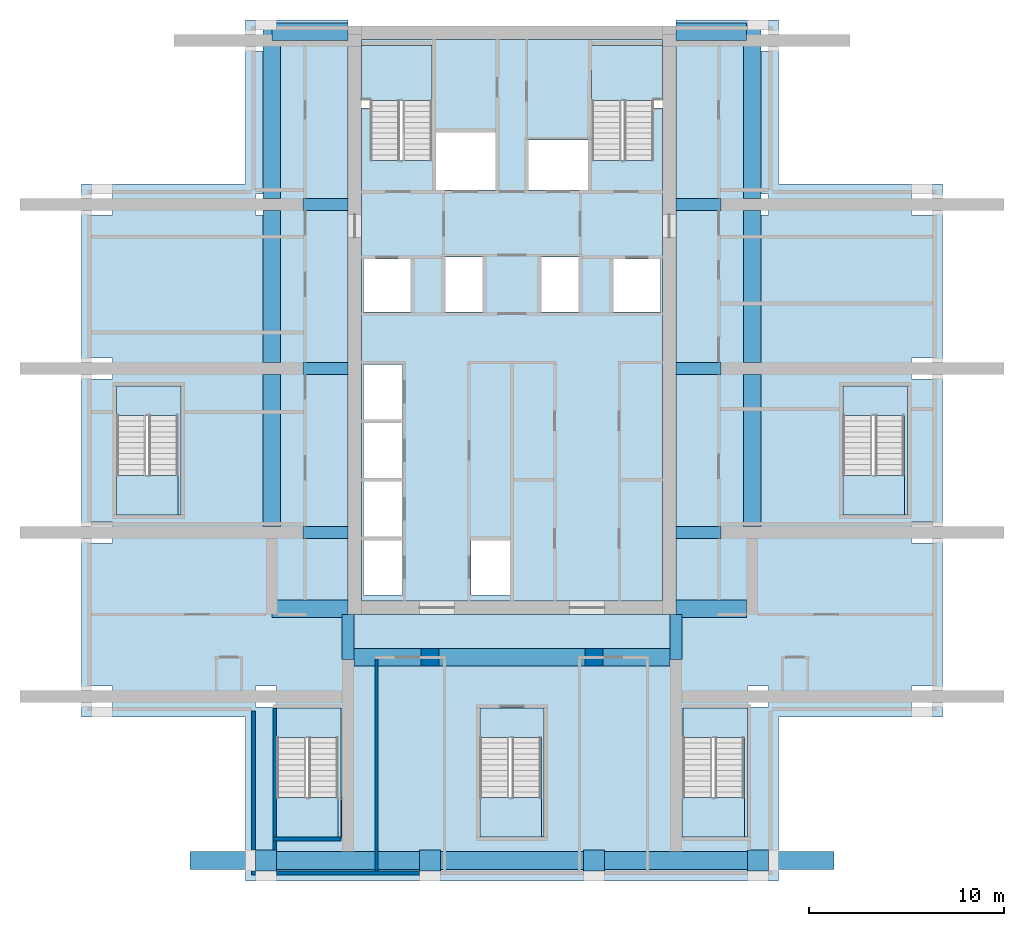
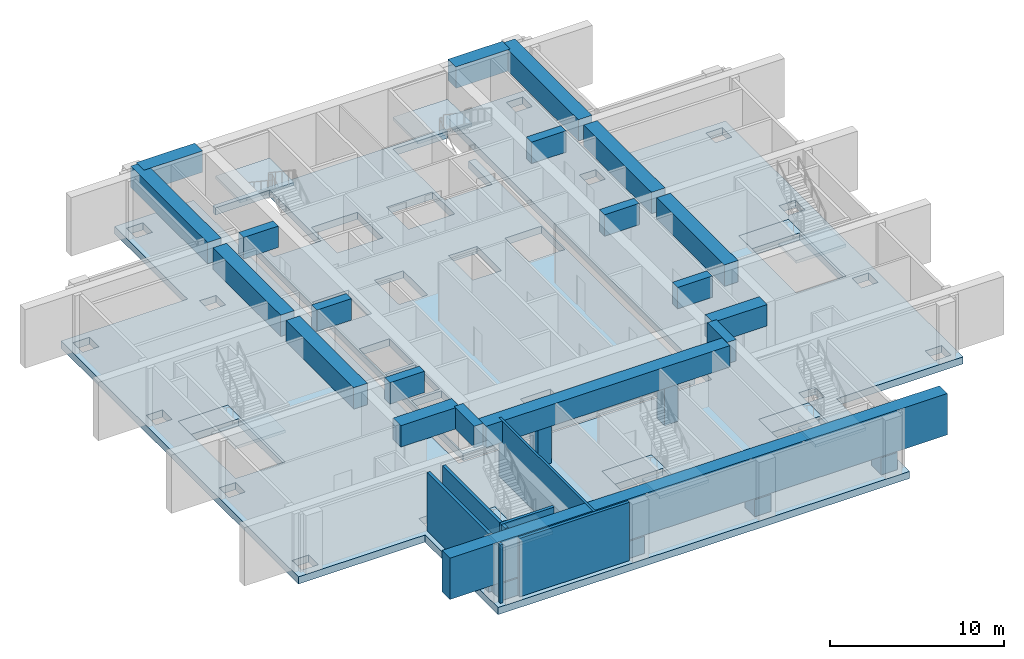
# One storey, part 1 of 10: 20 beams, 14 slabs, 6 columns, 6 walls, 7 elements without a shape of their own.
"""IFC4 building model written with IfcOpenShell, lengths in metres."""

from ifc_helpers import new_model, si_unit, direction, frame, frame_2d, origin, origin_2d, place, context, subcontext, project, spatial, polyline, rectangle, outline, extrude, material, layer, layer_set, material_profile, profile_set, type_object, element, aggregate, save


model = new_model("IFC4")

# Units and contexts
model_context = context("Model", 3, precision=1e-05, world=origin(), true_north=direction((0.0, 1.0)))
body_context = subcontext(model_context, "Body", "Model", "MODEL_VIEW")
ifc_project = project(units=[si_unit("LENGTHUNIT", "METRE"), si_unit("AREAUNIT", "SQUARE_METRE"), si_unit("VOLUMEUNIT", "CUBIC_METRE"), si_unit("PLANEANGLEUNIT", "RADIAN"), si_unit("MASSUNIT", "GRAM", prefix="KILO")], contexts=[model_context])

# Site, building, storey
site_placement = place(None, origin())
site = spatial("IfcSite", under=ifc_project, at=site_placement, CompositionType="ELEMENT")
building_placement = place(site_placement, origin())
building = spatial("IfcBuilding", under=site, at=building_placement, Name="Vermilion Ogive Tower", CompositionType="ELEMENT")
storey_placement = place(building_placement, frame((0.0, 0.0, 171.050048828125)))
storey = spatial("IfcBuildingStorey", under=building, at=storey_placement, Name="L44", CompositionType="ELEMENT", Elevation=171.050048828125)

# Columns
ifc_material_1 = material(Name="Concrete B60", Category="concrete")
ifc_material_profile_1 = material_profile(ifc_material_1, rectangle(XDim=1.10009765625, YDim=1.10009765625, at=origin_2d()), Name="1100 x 1100")
ifc_profile_set_1 = profile_set([ifc_material_profile_1], Name="Concrete B60")
column_type_1 = type_object("IfcColumnType", Name="Perimeter column 1100 x 1100 B60", PredefinedType="COLUMN", material=ifc_profile_set_1)
for number, where, z_axis, x_axis, name in (
    (1, (-12.60009765625, -21.0, -0.5), (0.0, 0.0, 1.0), (1.0, 0.0, 0.0), "COL-L44-P-0126-210"),
    (2, (-4.199951171875, -21.0, -0.5), (0.0, 0.0, 1.0), (1.0, 0.0, 0.0), "COL-L44-P-0042-210"),
    (3, (4.199951171875, -21.0, -0.5), (0.0, 0.0, 1.0), (1.0, 0.0, 0.0), "COL-L44-P+0042-210"),
    (4, (12.60009765625, -21.0, -0.5), (0.0, 0.0, 1.0), (1.0, 0.0, 0.0), "COL-L44-P+0126-210"),
):
    element("IfcColumn", number, at=place(storey_placement, frame(where, z_axis=z_axis, x_axis=x_axis)), inside=storey, type_object=column_type_1, Name=name, PredefinedType="COLUMN", context=body_context, shape_type="SweptSolid", body=[
        extrude(rectangle(XDim=1.10009765625, YDim=1.10009765625, at=origin_2d()), origin(), (0.0, 0.0, 1.0), 1.699951171875),
    ])
ifc_material_2 = material(Name="Concrete B60", Category="concrete")
ifc_material_profile_2 = material_profile(ifc_material_2, rectangle(XDim=0.89990234375, YDim=0.89990234375, at=origin_2d()), Name="900 x 900")
ifc_profile_set_2 = profile_set([ifc_material_profile_2], Name="Concrete B60")
column_type_2 = type_object("IfcColumnType", Name="Ring column 900 x 900 B60", PredefinedType="COLUMN", material=ifc_profile_set_2)
for number, where, z_axis, x_axis, name in (
    (5, (-4.199951171875, -10.60009765625, -0.5), (0.0, 0.0, 1.0), (1.0, 0.0, 0.0), "COL-L44-R-0042-106"),
    (6, (4.199951171875, -10.60009765625, -0.5), (0.0, 0.0, 1.0), (1.0, 0.0, 0.0), "COL-L44-R+0042-106"),
):
    element("IfcColumn", number, at=place(storey_placement, frame(where, z_axis=z_axis, x_axis=x_axis)), inside=storey, type_object=column_type_2, Name=name, PredefinedType="COLUMN", context=body_context, shape_type="SweptSolid", body=[
        extrude(rectangle(XDim=0.89990234375, YDim=0.89990234375, at=origin_2d()), origin(), (0.0, 0.0, 1.0), 3.099853515625),
    ])

# Beams
ifc_material_3 = material(Name="Concrete B60", Category="concrete")
ifc_material_profile_3 = material_profile(ifc_material_3, rectangle(XDim=0.89990234375, YDim=2.89990234375, at=origin_2d()), Name="900 x 2900")
ifc_profile_set_3 = profile_set([ifc_material_profile_3], Name="Concrete B60")
beam_type_1 = type_object("IfcBeamType", Name="Belt girder 900 x 2900 B60", PredefinedType="BEAM", material=ifc_profile_set_3)
beam_1_placement = place(storey_placement, frame((-16.5, -21.0, 2.64990234375), z_axis=(1.0, 0.0, 0.0), x_axis=(0.0, 1.0, 0.0)))
element("IfcBeam", 7, at=beam_1_placement, inside=storey, type_object=beam_type_1, Name="L44-BG-1", PredefinedType="BEAM", context=body_context, shape_type="SweptSolid", body=[
    extrude(rectangle(XDim=0.89990234375, YDim=2.89990234375, at=origin_2d()), origin(), (0.0, 0.0, 1.0), 33.0),
])
ifc_material_4 = material(Name="Concrete B60", Category="concrete")
ifc_material_profile_4 = material_profile(ifc_material_4, rectangle(XDim=0.89990234375, YDim=1.5, at=origin_2d()), Name="900 x 1500")
ifc_profile_set_4 = profile_set([ifc_material_profile_4], Name="Concrete B60")
beam_type_2 = type_object("IfcBeamType", Name="Core transfer girder 900 x 1500 B60", PredefinedType="BEAM", material=ifc_profile_set_4)
for number, where, z_axis, x_axis, name in (
    (8, (12.300048828125, -3.89501953125, 3.349853515625), (0.0, 1.0, 0.0), (-1.0, 0.0, 0.0), "L44-CT-1"),
    (9, (12.300048828125, 4.5048828125, 3.349853515625), (0.0, 1.0, 0.0), (-1.0, 0.0, 0.0), "L44-CT-2"),
):
    element("IfcBeam", number, at=place(storey_placement, frame(where, z_axis=z_axis, x_axis=x_axis)), inside=storey, type_object=beam_type_2, Name=name, PredefinedType="BEAM", context=body_context, shape_type="SweptSolid", body=[
        extrude(rectangle(XDim=0.89990234375, YDim=1.5, at=origin_2d()), origin(), (0.0, 0.0, 1.0), 7.7900390625),
    ])
beam_2_placement = place(storey_placement, frame((12.300048828125, 12.905029296875, 3.349853515625), z_axis=(0.0, 1.0, 0.0), x_axis=(-1.0, 0.0, 0.0)))
element("IfcBeam", 10, at=beam_2_placement, inside=storey, type_object=beam_type_2, Name="L44-CT-3", PredefinedType="BEAM", context=body_context, shape_type="SweptSolid", body=[
    extrude(rectangle(XDim=0.89990234375, YDim=1.5, at=origin_2d()), origin(), (0.0, 0.0, 1.0), 8.844970703125),
])
for number, where, z_axis, x_axis, name in (
    (11, (-12.300048828125, -3.89501953125, 3.349853515625), (0.0, 1.0, 0.0), (-1.0, 0.0, 0.0), "L44-CT-4"),
    (12, (-12.300048828125, 4.5048828125, 3.349853515625), (0.0, 1.0, 0.0), (-1.0, 0.0, 0.0), "L44-CT-5"),
):
    element("IfcBeam", number, at=place(storey_placement, frame(where, z_axis=z_axis, x_axis=x_axis)), inside=storey, type_object=beam_type_2, Name=name, PredefinedType="BEAM", context=body_context, shape_type="SweptSolid", body=[
        extrude(rectangle(XDim=0.89990234375, YDim=1.5, at=origin_2d()), origin(), (0.0, 0.0, 1.0), 7.7900390625),
    ])
beam_3_placement = place(storey_placement, frame((-12.300048828125, 12.905029296875, 3.349853515625), z_axis=(0.0, 1.0, 0.0), x_axis=(-1.0, 0.0, 0.0)))
element("IfcBeam", 13, at=beam_3_placement, inside=storey, type_object=beam_type_2, Name="L44-CT-6", PredefinedType="BEAM", context=body_context, shape_type="SweptSolid", body=[
    extrude(rectangle(XDim=0.89990234375, YDim=1.5, at=origin_2d()), origin(), (0.0, 0.0, 1.0), 8.844970703125),
])
for number, where, z_axis, x_axis, name in (
    (14, (8.405029296875, -8.10009765625, 3.349853515625), (1.0, 0.0, 0.0), (0.0, 1.0, 0.0), "L44-CT-7"),
    (15, (8.405029296875, 21.449951171875, 3.349853515625), (1.0, 0.0, 0.0), (0.0, 1.0, 0.0), "L44-CT-8"),
):
    element("IfcBeam", number, at=place(storey_placement, frame(where, z_axis=z_axis, x_axis=x_axis)), inside=storey, type_object=beam_type_2, Name=name, PredefinedType="BEAM", context=body_context, shape_type="SweptSolid", body=[
        extrude(rectangle(XDim=0.89990234375, YDim=1.5, at=origin_2d()), origin(), (0.0, 0.0, 1.0), 3.594970703125),
    ])
for number, where, z_axis, x_axis, name in (
    (16, (-12.300048828125, -8.10009765625, 3.349853515625), (1.0, 0.0, 0.0), (0.0, 1.0, 0.0), "L44-CT-9"),
    (17, (-12.300048828125, 21.449951171875, 3.349853515625), (1.0, 0.0, 0.0), (0.0, 1.0, 0.0), "L44-CT-10"),
):
    element("IfcBeam", number, at=place(storey_placement, frame(where, z_axis=z_axis, x_axis=x_axis)), inside=storey, type_object=beam_type_2, Name=name, PredefinedType="BEAM", context=body_context, shape_type="SweptSolid", body=[
        extrude(rectangle(XDim=0.89990234375, YDim=1.5, at=origin_2d()), origin(), (0.0, 0.0, 1.0), 3.89501953125),
    ])
ifc_material_5 = material(Name="Concrete B60", Category="concrete")
ifc_material_profile_5 = material_profile(ifc_material_5, rectangle(XDim=0.60009765625, YDim=1.5, at=origin_2d()), Name="600 x 1500")
ifc_profile_set_5 = profile_set([ifc_material_profile_5], Name="Concrete B60")
beam_type_3 = type_object("IfcBeamType", Name="Outrigger lintel beam 600 x 1500 B60", PredefinedType="BEAM", material=ifc_profile_set_5)
for number, where, z_axis, x_axis, name in (
    (18, (8.39990234375, -4.199951171875, 3.349853515625), (1.0, 0.0, 0.0), (0.0, 1.0, 0.0), "L44-OL-EWE-4.2"),
    (19, (8.39990234375, 4.199951171875, 3.349853515625), (1.0, 0.0, 0.0), (0.0, 1.0, 0.0), "L44-OL-EWE+4.2"),
    (20, (8.39990234375, 12.60009765625, 3.349853515625), (1.0, 0.0, 0.0), (0.0, 1.0, 0.0), "L44-OL-EWE+12.6"),
    (21, (-8.39990234375, -4.199951171875, 3.349853515625), (-1.0, 0.0, 0.0), (0.0, -1.0, 0.0), "L44-OL-EWW-4.2"),
    (22, (-8.39990234375, 4.199951171875, 3.349853515625), (-1.0, 0.0, 0.0), (0.0, -1.0, 0.0), "L44-OL-EWW+4.2"),
    (23, (-8.39990234375, 12.60009765625, 3.349853515625), (-1.0, 0.0, 0.0), (0.0, -1.0, 0.0), "L44-OL-EWW+12.6"),
    (24, (-8.39990234375, -8.39990234375, 3.349853515625), (0.0, -1.0, 0.0), (1.0, 0.0, 0.0), "L44-OL-NS-8.4"),
    (25, (8.39990234375, -8.39990234375, 3.349853515625), (0.0, -1.0, 0.0), (1.0, 0.0, 0.0), "L44-OL-NS+8.4"),
):
    element("IfcBeam", number, at=place(storey_placement, frame(where, z_axis=z_axis, x_axis=x_axis)), inside=storey, type_object=beam_type_3, Name=name, PredefinedType="BEAM", context=body_context, shape_type="SweptSolid", body=[
        extrude(rectangle(XDim=0.60009765625, YDim=1.5, at=origin_2d()), origin(), (0.0, 0.0, 1.0), 2.300048828125),
    ])
ifc_material_6 = material(Name="Concrete B60", Category="concrete")
ifc_material_profile_6 = material_profile(ifc_material_6, rectangle(XDim=0.89990234375, YDim=1.5, at=origin_2d()), Name="900 x 1500")
ifc_profile_set_6 = profile_set([ifc_material_profile_6], Name="Concrete B60")
beam_type_4 = type_object("IfcBeamType", Name="Ring girder 900 x 1500 B60", PredefinedType="BEAM", material=ifc_profile_set_6)
beam_4_placement = place(storey_placement, frame((-8.090087890625, -10.60009765625, 3.349853515625), z_axis=(1.0, 0.0, 0.0), x_axis=(0.0, 1.0, 0.0)))
element("IfcBeam", 26, at=beam_4_placement, inside=storey, type_object=beam_type_4, Name="L44-RG-1", PredefinedType="BEAM", context=body_context, shape_type="SweptSolid", body=[
    extrude(rectangle(XDim=0.89990234375, YDim=1.5, at=origin_2d()), origin(), (0.0, 0.0, 1.0), 16.18017578125),
])

# Slabs
ifc_material_7 = material(Name="Concrete B40", Category="concrete")
ifc_layer_1 = layer(ifc_material_7, 0.5)
ifc_layer_set_1 = layer_set([ifc_layer_1], Name="Core floor slab 500 B40")
slab_type_1 = type_object("IfcSlabType", Name="Core floor slab 500 B40", PredefinedType="FLOOR", material=ifc_layer_set_1)
slab_1_placement = place(storey_placement, frame((0.0, 0.0, -0.5)))
element("IfcSlab", 27, at=slab_1_placement, inside=storey, type_object=slab_type_1, Name="L44-CK-FS1", PredefinedType="FLOOR", context=body_context, shape_type="SweptSolid", body=[
    extrude(outline(polyline([(5.75, 14.85009765625), (5.60009765625, 14.85009765625), (5.60009765625, 14.85205078125), (4.10009765625, 14.85205078125), (4.10009765625, 17.550048828125), (4.074951171875, 17.550048828125), (4.074951171875, 20.75), (7.696044921875, 20.75), (7.696044921875, 21.0458984375), (-7.696044921875, 21.0458984375), (-7.696044921875, 20.75), (-4.10009765625, 20.75), (-4.10009765625, 14.85205078125), (-5.60009765625, 14.85205078125), (-5.60009765625, 14.85009765625), (-5.75, 14.85009765625), (-5.75, 14.85205078125), (-7.25, 14.85205078125), (-7.25, 17.550048828125), (-7.696044921875, 17.550048828125), (-7.696044921875, -7.696044921875), (7.696044921875, -7.696044921875), (7.696044921875, 17.550048828125), (7.25, 17.550048828125), (7.25, 14.85205078125), (5.75, 14.85205078125), (5.75, 14.85009765625)]), holes=[polyline([(-7.60009765625, -7.39990234375), (-7.60009765625, -4.60009765625), (-5.60009765625, -4.60009765625), (-5.60009765625, -7.39990234375), (-7.60009765625, -7.39990234375)]), polyline([(-7.60009765625, -4.39990234375), (-7.60009765625, -1.60009765625), (-5.60009765625, -1.60009765625), (-5.60009765625, -4.39990234375), (-7.60009765625, -4.39990234375)]), polyline([(-7.60009765625, -1.39990234375), (-7.60009765625, 1.39990234375), (-5.60009765625, 1.39990234375), (-5.60009765625, -1.39990234375), (-7.60009765625, -1.39990234375)]), polyline([(-7.60009765625, 1.60009765625), (-7.60009765625, 4.39990234375), (-5.60009765625, 4.39990234375), (-5.60009765625, 1.60009765625), (-7.60009765625, 1.60009765625)]), polyline([(-7.60009765625, 7.10009765625), (-7.60009765625, 9.800048828125), (-5.199951171875, 9.800048828125), (-5.199951171875, 7.10009765625), (-7.60009765625, 7.10009765625)]), polyline([(-3.39990234375, 9.89990234375), (-1.5, 9.89990234375), (-1.5, 7.10009765625), (-3.39990234375, 7.10009765625), (-3.39990234375, 9.89990234375)]), polyline([(-2.10009765625, -7.39990234375), (-2.10009765625, -4.60009765625), (-0.10009765625, -4.60009765625), (-0.10009765625, -7.39990234375), (-2.10009765625, -7.39990234375)]), polyline([(5.199951171875, 7.10009765625), (5.199951171875, 9.800048828125), (7.60009765625, 9.800048828125), (7.60009765625, 7.10009765625), (5.199951171875, 7.10009765625)]), polyline([(1.5, 7.10009765625), (1.5, 9.89990234375), (3.39990234375, 9.89990234375), (3.39990234375, 7.10009765625), (1.5, 7.10009765625)]), polyline([(0.85009765625, 13.35009765625), (0.85009765625, 15.89990234375), (3.89990234375, 15.89990234375), (3.89990234375, 13.35009765625), (0.85009765625, 13.35009765625)]), polyline([(-3.89990234375, 16.300048828125), (-0.85009765625, 16.300048828125), (-0.85009765625, 13.35009765625), (-3.89990234375, 13.35009765625), (-3.89990234375, 16.300048828125)])]), origin(), (0.0, 0.0, 1.0), 0.5),
])
slab_2_placement = place(storey_placement, frame((0.0, 0.0, -0.5)))
element("IfcSlab", 28, at=slab_2_placement, inside=storey, type_object=slab_type_1, Name="L44-SF-ST3-1", PredefinedType="FLOOR", context=body_context, shape_type="SweptSolid", body=[
    extrude(outline(polyline([(-12.050048828125, -13.199951171875), (-12.050048828125, -14.701904296875), (-10.550048828125, -14.701904296875), (-10.550048828125, -14.699951171875), (-10.39990234375, -14.699951171875), (-10.39990234375, -14.701904296875), (-8.89990234375, -14.701904296875), (-8.89990234375, -19.800048828125), (-8.75, -19.800048828125), (-8.75, -13.199951171875), (-12.050048828125, -13.199951171875)])), origin(), (0.0, 0.0, 1.0), 0.5),
])
slab_3_placement = place(storey_placement, frame((0.0, 0.0, -0.5)))
element("IfcSlab", 29, at=slab_3_placement, inside=storey, type_object=slab_type_1, Name="L44-SF-ST4-1", PredefinedType="FLOOR", context=body_context, shape_type="SweptSolid", body=[
    extrude(outline(polyline([(-1.64990234375, -13.199951171875), (-1.64990234375, -14.701904296875), (-0.14990234375, -14.701904296875), (-0.14990234375, -14.699951171875), (0.0, -14.699951171875), (0.0, -14.701904296875), (1.5, -14.701904296875), (1.5, -19.800048828125), (1.64990234375, -19.800048828125), (1.64990234375, -13.199951171875), (-1.64990234375, -13.199951171875)])), origin(), (0.0, 0.0, 1.0), 0.5),
])
slab_4_placement = place(storey_placement, frame((0.0, 0.0, -0.5)))
element("IfcSlab", 30, at=slab_4_placement, inside=storey, type_object=slab_type_1, Name="L44-SF-ST5-1", PredefinedType="FLOOR", context=body_context, shape_type="SweptSolid", body=[
    extrude(outline(polyline([(8.75, -13.199951171875), (8.75, -14.701904296875), (10.25, -14.701904296875), (10.25, -14.699951171875), (10.39990234375, -14.699951171875), (10.39990234375, -14.701904296875), (11.89990234375, -14.701904296875), (11.89990234375, -19.800048828125), (12.050048828125, -19.800048828125), (12.050048828125, -13.199951171875), (8.75, -13.199951171875)])), origin(), (0.0, 0.0, 1.0), 0.5),
])
slab_5_placement = place(storey_placement, frame((0.0, 0.0, -0.5)))
element("IfcSlab", 31, at=slab_5_placement, inside=storey, type_object=slab_type_1, Name="L44-SF-ST8-1", PredefinedType="FLOOR", context=body_context, shape_type="SweptSolid", body=[
    extrude(outline(polyline([(16.949951171875, 3.300048828125), (16.949951171875, 1.798095703125), (18.449951171875, 1.798095703125), (18.449951171875, 1.800048828125), (18.60009765625, 1.800048828125), (18.60009765625, 1.798095703125), (20.10009765625, 1.798095703125), (20.10009765625, -3.300048828125), (20.25, -3.300048828125), (20.25, 3.300048828125), (16.949951171875, 3.300048828125)])), origin(), (0.0, 0.0, 1.0), 0.5),
])
slab_6_placement = place(storey_placement, frame((0.0, 0.0, -0.5)))
element("IfcSlab", 32, at=slab_6_placement, inside=storey, type_object=slab_type_1, Name="L44-SF-ST9-1", PredefinedType="FLOOR", context=body_context, shape_type="SweptSolid", body=[
    extrude(outline(polyline([(-20.25, 3.300048828125), (-20.25, 1.798095703125), (-18.75, 1.798095703125), (-18.75, 1.800048828125), (-18.60009765625, 1.800048828125), (-18.60009765625, 1.798095703125), (-17.10009765625, 1.798095703125), (-17.10009765625, -3.300048828125), (-16.949951171875, -3.300048828125), (-16.949951171875, 3.300048828125), (-20.25, 3.300048828125)])), origin(), (0.0, 0.0, 1.0), 0.5),
])
ifc_material_8 = material(Name="Concrete B45", Category="concrete")
ifc_layer_2 = layer(ifc_material_8, 0.5)
ifc_layer_set_2 = layer_set([ifc_layer_2], Name="Post-tensioned flat plate 500 B45")
slab_type_2 = type_object("IfcSlabType", Name="Post-tensioned flat plate 500 B45", PredefinedType="FLOOR", material=ifc_layer_set_2)
slab_7_placement = place(storey_placement, frame((0.0, 0.0, -0.5)))
element("IfcSlab", 33, at=slab_7_placement, inside=storey, type_object=slab_type_2, Name="L44-SL-1", PredefinedType="FLOOR", context=body_context, shape_type="SweptSolid", body=[
    extrude(outline(polyline([(-13.64990234375, -13.64990234375), (-22.050048828125, -13.64990234375), (-22.050048828125, 13.64990234375), (-13.64990234375, 13.64990234375), (-13.64990234375, 22.050048828125), (-8.39990234375, 22.050048828125), (-8.39990234375, -8.39990234375), (8.39990234375, -8.39990234375), (8.39990234375, 22.050048828125), (13.64990234375, 22.050048828125), (13.64990234375, 13.64990234375), (22.050048828125, 13.64990234375), (22.050048828125, -13.64990234375), (13.64990234375, -13.64990234375), (13.64990234375, -22.050048828125), (-13.64990234375, -22.050048828125), (-13.64990234375, -13.64990234375)]), holes=[polyline([(21.550048828125, 12.050048828125), (21.550048828125, 13.14990234375), (20.449951171875, 13.14990234375), (20.449951171875, 12.050048828125), (21.550048828125, 12.050048828125)]), polyline([(21.550048828125, 3.64990234375), (21.550048828125, 4.75), (20.449951171875, 4.75), (20.449951171875, 3.64990234375), (21.550048828125, 3.64990234375)]), polyline([(21.550048828125, -4.75), (21.550048828125, -3.64990234375), (20.449951171875, -3.64990234375), (20.449951171875, -4.75), (21.550048828125, -4.75)]), polyline([(21.550048828125, -13.14990234375), (21.550048828125, -12.050048828125), (20.449951171875, -12.050048828125), (20.449951171875, -13.14990234375), (21.550048828125, -13.14990234375)]), polyline([(20.25, -3.300048828125), (20.25, 3.300048828125), (16.949951171875, 3.300048828125), (16.949951171875, -3.300048828125), (20.25, -3.300048828125)]), polyline([(13.14990234375, 20.449951171875), (13.14990234375, 21.550048828125), (12.050048828125, 21.550048828125), (12.050048828125, 20.449951171875), (13.14990234375, 20.449951171875)]), polyline([(13.14990234375, 12.050048828125), (13.14990234375, 13.14990234375), (12.050048828125, 13.14990234375), (12.050048828125, 12.050048828125), (13.14990234375, 12.050048828125)]), polyline([(13.14990234375, -13.14990234375), (13.14990234375, -12.050048828125), (12.050048828125, -12.050048828125), (12.050048828125, -13.14990234375), (13.14990234375, -13.14990234375)]), polyline([(13.14990234375, -21.550048828125), (13.14990234375, -20.449951171875), (12.050048828125, -20.449951171875), (12.050048828125, -21.550048828125), (13.14990234375, -21.550048828125)]), polyline([(12.050048828125, -19.800048828125), (12.050048828125, -13.199951171875), (8.75, -13.199951171875), (8.75, -19.800048828125), (12.050048828125, -19.800048828125)]), polyline([(4.75, -20.449951171875), (3.64990234375, -20.449951171875), (3.64990234375, -21.550048828125), (4.75, -21.550048828125), (4.75, -20.449951171875)]), polyline([(4.64990234375, -11.050048828125), (4.64990234375, -10.14990234375), (3.75, -10.14990234375), (3.75, -11.050048828125), (4.64990234375, -11.050048828125)]), polyline([(1.64990234375, -19.800048828125), (1.64990234375, -13.199951171875), (-1.64990234375, -13.199951171875), (-1.64990234375, -19.800048828125), (1.64990234375, -19.800048828125)]), polyline([(-3.64990234375, -21.550048828125), (-3.64990234375, -20.449951171875), (-4.75, -20.449951171875), (-4.75, -21.550048828125), (-3.64990234375, -21.550048828125)]), polyline([(-3.75, -11.050048828125), (-3.75, -10.14990234375), (-4.64990234375, -10.14990234375), (-4.64990234375, -11.050048828125), (-3.75, -11.050048828125)]), polyline([(-8.75, -19.800048828125), (-8.75, -13.199951171875), (-12.050048828125, -13.199951171875), (-12.050048828125, -19.800048828125), (-8.75, -19.800048828125)]), polyline([(-12.050048828125, 20.449951171875), (-12.050048828125, 21.550048828125), (-13.14990234375, 21.550048828125), (-13.14990234375, 20.449951171875), (-12.050048828125, 20.449951171875)]), polyline([(-12.050048828125, 12.050048828125), (-12.050048828125, 13.14990234375), (-13.14990234375, 13.14990234375), (-13.14990234375, 12.050048828125), (-12.050048828125, 12.050048828125)]), polyline([(-12.050048828125, -13.14990234375), (-12.050048828125, -12.050048828125), (-13.14990234375, -12.050048828125), (-13.14990234375, -13.14990234375), (-12.050048828125, -13.14990234375)]), polyline([(-12.050048828125, -20.449951171875), (-13.14990234375, -20.449951171875), (-13.14990234375, -21.550048828125), (-12.050048828125, -21.550048828125), (-12.050048828125, -20.449951171875)]), polyline([(-16.949951171875, -3.300048828125), (-16.949951171875, 3.300048828125), (-20.25, 3.300048828125), (-20.25, -3.300048828125), (-16.949951171875, -3.300048828125)]), polyline([(-20.449951171875, -13.14990234375), (-20.449951171875, -12.050048828125), (-21.550048828125, -12.050048828125), (-21.550048828125, -13.14990234375), (-20.449951171875, -13.14990234375)]), polyline([(-20.449951171875, 12.050048828125), (-20.449951171875, 13.14990234375), (-21.550048828125, 13.14990234375), (-21.550048828125, 12.050048828125), (-20.449951171875, 12.050048828125)]), polyline([(-20.449951171875, 3.64990234375), (-20.449951171875, 4.75), (-21.550048828125, 4.75), (-21.550048828125, 3.64990234375), (-20.449951171875, 3.64990234375)]), polyline([(-20.449951171875, -4.75), (-20.449951171875, -3.64990234375), (-21.550048828125, -3.64990234375), (-21.550048828125, -4.75), (-20.449951171875, -4.75)])]), origin(), (0.0, 0.0, 1.0), 0.5),
])

# Stair, slab
ifc_material_9 = material(Name="Concrete B40", Category="concrete")
stair_type = type_object("IfcStairType", Name="Exit stair 1500", PredefinedType="HALF_TURN_STAIR", material=ifc_material_9)
stair_1_placement = place(storey_placement, origin())
stair_1 = element("IfcStair", 34, at=stair_1_placement, inside=storey, type_object=stair_type, Name="L44 Exit Stair ST1", PredefinedType="HALF_TURN_STAIR")
ifc_material_10 = material(Name="Concrete B40", Category="concrete")
ifc_layer_3 = layer(ifc_material_10, 0.199951171875)
ifc_layer_set_3 = layer_set([ifc_layer_3], Name="Stair landing 200")
slab_type_3 = type_object("IfcSlabType", Name="Stair landing 200", PredefinedType="LANDING", material=ifc_layer_set_3)
slab_8_placement = place(storey_placement, frame((0.0, 0.0, 2.050048828125)))
slab_8 = element("IfcSlab", 35, at=slab_8_placement, type_object=slab_type_3, Name="ST1 landing 1", PredefinedType="LANDING", context=body_context, shape_type="SweptSolid", body=[
    extrude(outline(polyline([(-7.699951171875, 17.929931640625), (-7.25, 17.929931640625), (-7.25, 17.927978515625), (-5.75, 17.927978515625), (-5.75, 17.929931640625), (-5.60009765625, 17.929931640625), (-5.60009765625, 17.927978515625), (-4.10009765625, 17.927978515625), (-4.10009765625, 20.75), (-7.699951171875, 20.75), (-7.699951171875, 17.929931640625)])), origin(), (0.0, 0.0, 1.0), 0.199951171875),
])
aggregate(stair_1, [slab_8])

stair_2_placement = place(storey_placement, origin())
stair_2 = element("IfcStair", 36, at=stair_2_placement, inside=storey, type_object=stair_type, Name="L44 Exit Stair ST2", PredefinedType="HALF_TURN_STAIR")
slab_9_placement = place(storey_placement, frame((0.0, 0.0, 2.050048828125)))
slab_9 = element("IfcSlab", 37, at=slab_9_placement, type_object=slab_type_3, Name="ST2 landing 1", PredefinedType="LANDING", context=body_context, shape_type="SweptSolid", body=[
    extrude(outline(polyline([(5.60009765625, 17.929931640625), (5.75, 17.929931640625), (5.75, 17.927978515625), (7.25, 17.927978515625), (7.25, 17.929931640625), (7.699951171875, 17.929931640625), (7.699951171875, 20.75), (4.074951171875, 20.75), (4.074951171875, 17.929931640625), (4.10009765625, 17.929931640625), (4.10009765625, 17.927978515625), (5.60009765625, 17.927978515625), (5.60009765625, 17.929931640625)])), origin(), (0.0, 0.0, 1.0), 0.199951171875),
])
aggregate(stair_2, [slab_9])

stair_3_placement = place(storey_placement, origin())
stair_3 = element("IfcStair", 38, at=stair_3_placement, inside=storey, type_object=stair_type, Name="L44 Exit Stair ST3", PredefinedType="HALF_TURN_STAIR")
slab_10_placement = place(storey_placement, frame((0.0, 0.0, 2.050048828125)))
slab_10 = element("IfcSlab", 39, at=slab_10_placement, type_object=slab_type_3, Name="ST3 landing 1", PredefinedType="LANDING", context=body_context, shape_type="SweptSolid", body=[
    extrude(outline(polyline([(-8.699951171875, -17.780029296875), (-8.89990234375, -17.780029296875), (-8.89990234375, -17.778076171875), (-10.39990234375, -17.778076171875), (-10.39990234375, -17.780029296875), (-10.550048828125, -17.780029296875), (-10.550048828125, -17.778076171875), (-12.050048828125, -17.778076171875), (-12.050048828125, -19.800048828125), (-8.699951171875, -19.800048828125), (-8.699951171875, -17.780029296875)])), origin(), (0.0, 0.0, 1.0), 0.199951171875),
])
aggregate(stair_3, [slab_10])

stair_4_placement = place(storey_placement, origin())
stair_4 = element("IfcStair", 40, at=stair_4_placement, inside=storey, type_object=stair_type, Name="L44 Exit Stair ST4", PredefinedType="HALF_TURN_STAIR")
slab_11_placement = place(storey_placement, frame((0.0, 0.0, 2.050048828125)))
slab_11 = element("IfcSlab", 41, at=slab_11_placement, type_object=slab_type_3, Name="ST4 landing 1", PredefinedType="LANDING", context=body_context, shape_type="SweptSolid", body=[
    extrude(outline(polyline([(1.64990234375, -17.780029296875), (1.5, -17.780029296875), (1.5, -17.778076171875), (0.0, -17.778076171875), (0.0, -17.780029296875), (-0.14990234375, -17.780029296875), (-0.14990234375, -17.778076171875), (-1.64990234375, -17.778076171875), (-1.64990234375, -19.800048828125), (1.64990234375, -19.800048828125), (1.64990234375, -17.780029296875)])), origin(), (0.0, 0.0, 1.0), 0.199951171875),
])
aggregate(stair_4, [slab_11])

stair_5_placement = place(storey_placement, origin())
stair_5 = element("IfcStair", 42, at=stair_5_placement, inside=storey, type_object=stair_type, Name="L44 Exit Stair ST5", PredefinedType="HALF_TURN_STAIR")
slab_12_placement = place(storey_placement, frame((0.0, 0.0, 2.050048828125)))
slab_12 = element("IfcSlab", 43, at=slab_12_placement, type_object=slab_type_3, Name="ST5 landing 1", PredefinedType="LANDING", context=body_context, shape_type="SweptSolid", body=[
    extrude(outline(polyline([(12.050048828125, -17.780029296875), (11.89990234375, -17.780029296875), (11.89990234375, -17.778076171875), (10.39990234375, -17.778076171875), (10.39990234375, -17.780029296875), (10.25, -17.780029296875), (10.25, -17.778076171875), (8.75, -17.778076171875), (8.75, -17.780029296875), (8.699951171875, -17.780029296875), (8.699951171875, -19.800048828125), (12.050048828125, -19.800048828125), (12.050048828125, -17.780029296875)])), origin(), (0.0, 0.0, 1.0), 0.199951171875),
])
aggregate(stair_5, [slab_12])

stair_6_placement = place(storey_placement, origin())
stair_6 = element("IfcStair", 44, at=stair_6_placement, inside=storey, type_object=stair_type, Name="L44 Exit Stair ST8", PredefinedType="HALF_TURN_STAIR")
slab_13_placement = place(storey_placement, frame((0.0, 0.0, 2.050048828125)))
slab_13 = element("IfcSlab", 45, at=slab_13_placement, type_object=slab_type_3, Name="ST8 landing 1", PredefinedType="LANDING", context=body_context, shape_type="SweptSolid", body=[
    extrude(outline(polyline([(20.25, -1.280029296875), (20.10009765625, -1.280029296875), (20.10009765625, -1.278076171875), (18.60009765625, -1.278076171875), (18.60009765625, -1.280029296875), (18.449951171875, -1.280029296875), (18.449951171875, -1.278076171875), (16.949951171875, -1.278076171875), (16.949951171875, -3.300048828125), (20.25, -3.300048828125), (20.25, -1.280029296875)])), origin(), (0.0, 0.0, 1.0), 0.199951171875),
])
aggregate(stair_6, [slab_13])

stair_7_placement = place(storey_placement, origin())
stair_7 = element("IfcStair", 46, at=stair_7_placement, inside=storey, type_object=stair_type, Name="L44 Exit Stair ST9", PredefinedType="HALF_TURN_STAIR")
slab_14_placement = place(storey_placement, frame((0.0, 0.0, 2.050048828125)))
slab_14 = element("IfcSlab", 47, at=slab_14_placement, type_object=slab_type_3, Name="ST9 landing 1", PredefinedType="LANDING", context=body_context, shape_type="SweptSolid", body=[
    extrude(outline(polyline([(-16.949951171875, -1.280029296875), (-17.10009765625, -1.280029296875), (-17.10009765625, -1.278076171875), (-18.60009765625, -1.278076171875), (-18.60009765625, -1.280029296875), (-18.75, -1.280029296875), (-18.75, -1.278076171875), (-20.25, -1.278076171875), (-20.25, -3.300048828125), (-16.949951171875, -3.300048828125), (-16.949951171875, -1.280029296875)])), origin(), (0.0, 0.0, 1.0), 0.199951171875),
])
aggregate(stair_7, [slab_14])

# Walls
ifc_material_11 = material(Name="Gypsum board partition on steel studs", Category="steel")
ifc_layer_4 = layer(ifc_material_11, 0.14990234375)
ifc_layer_set_4 = layer_set([ifc_layer_4], Name="Partition 150 corridor")
wall_type_1 = type_object("IfcWallType", Name="Partition 150 corridor", PredefinedType="PARTITIONING", material=ifc_layer_set_4)
wall_1_placement = place(storey_placement, frame((-6.949951171875, -21.550048828125, 0.0), z_axis=(0.0, 0.0, 1.0), x_axis=(0.0, 1.0, 0.0)))
element("IfcWall", 48, at=wall_1_placement, inside=storey, type_object=wall_type_1, Name="L44-FS-W-W022", PredefinedType="PARTITIONING", context=body_context, shape_type="SweptSolid", body=[
    extrude(rectangle(XDim=10.875, YDim=0.14990234375, at=frame_2d((5.4375, 0.0))), origin(), (0.0, 0.0, 1.0), 4.099853515625),
])
ifc_material_12 = material(Name="Aluminium louvre panels", Category="aluminium")
ifc_layer_5 = layer(ifc_material_12, 0.199951171875)
ifc_layer_set_5 = layer_set([ifc_layer_5], Name="Plant louvre wall")
wall_type_2 = type_object("IfcWallType", Name="Plant louvre wall", PredefinedType="STANDARD", material=ifc_layer_set_5)
wall_2_placement = place(storey_placement, frame((-12.050048828125, -21.64990234375, 0.0), z_axis=(0.0, 0.0, 1.0), x_axis=(1.0, 0.0, 0.0)))
element("IfcWall", 49, at=wall_2_placement, inside=storey, type_object=wall_type_2, Name="Window wall S1", PredefinedType="STANDARD", context=body_context, shape_type="SweptSolid", body=[
    extrude(rectangle(XDim=7.300048828125, YDim=0.199951171875, at=frame_2d((3.64990234375, 0.0))), origin(), (0.0, 0.0, 1.0), 4.099853515625),
])
wall_3_placement = place(storey_placement, frame((-13.25, -13.35009765625, 0.0), z_axis=(0.0, 0.0, 1.0), x_axis=(0.0, -1.0, 0.0)))
element("IfcWall", 50, at=wall_3_placement, inside=storey, type_object=wall_type_2, Name="Window wall X81", PredefinedType="STANDARD", context=body_context, shape_type="SweptSolid", body=[
    extrude(rectangle(XDim=7.099853515625, YDim=0.199951171875, at=frame_2d((3.5498046875, 0.0))), origin(), (0.0, 0.0, 1.0), 4.099853515625),
])
wall_4_placement = place(storey_placement, frame((-13.25, -21.550048828125, 0.0), z_axis=(0.0, 0.0, 1.0), x_axis=(0.0, -1.0, 0.0)))
element("IfcWall", 51, at=wall_4_placement, inside=storey, type_object=wall_type_2, Name="Window wall X82", PredefinedType="STANDARD", context=body_context, shape_type="SweptSolid", body=[
    extrude(rectangle(XDim=0.199951171875, YDim=0.199951171875, at=frame_2d((0.10009765625, 0.0))), origin(), (0.0, 0.0, 1.0), 4.099853515625),
])
ifc_material_13 = material(Name="Concrete B60", Category="concrete")
ifc_layer_6 = layer(ifc_material_13, 0.199951171875)
ifc_layer_set_6 = layer_set([ifc_layer_6], Name="Stair shaft wall 200 Concrete B60")
wall_type_3 = type_object("IfcWallType", Name="Stair shaft wall 200 Concrete B60", PredefinedType="SOLIDWALL", material=ifc_layer_set_6)
wall_5_placement = place(storey_placement, frame((-12.25, -19.89990234375, 0.0), z_axis=(0.0, 0.0, 1.0), x_axis=(1.0, 0.0, 0.0)))
element("IfcWall", 52, at=wall_5_placement, inside=storey, type_object=wall_type_3, Name="L44-SW-ST3-S1", PredefinedType="SOLIDWALL", context=body_context, shape_type="SweptSolid", body=[
    extrude(rectangle(XDim=3.5, YDim=0.199951171875, at=frame_2d((1.75, 0.0))), origin(), (0.0, 0.0, 1.0), 4.099853515625),
])
wall_6_placement = place(storey_placement, frame((-12.14990234375, -20.449951171875, 0.0), z_axis=(0.0, 0.0, 1.0), x_axis=(0.0, 1.0, 0.0)))
element("IfcWall", 53, at=wall_6_placement, inside=storey, type_object=wall_type_3, Name="L44-SW-ST3-W1-A", PredefinedType="SOLIDWALL", context=body_context, shape_type="SweptSolid", body=[
    extrude(rectangle(XDim=7.248046875, YDim=0.199951171875, at=frame_2d((3.6240234375, 0.0))), origin(), (0.0, 0.0, 1.0), 4.099853515625),
])

save(model, "model.ifc")
